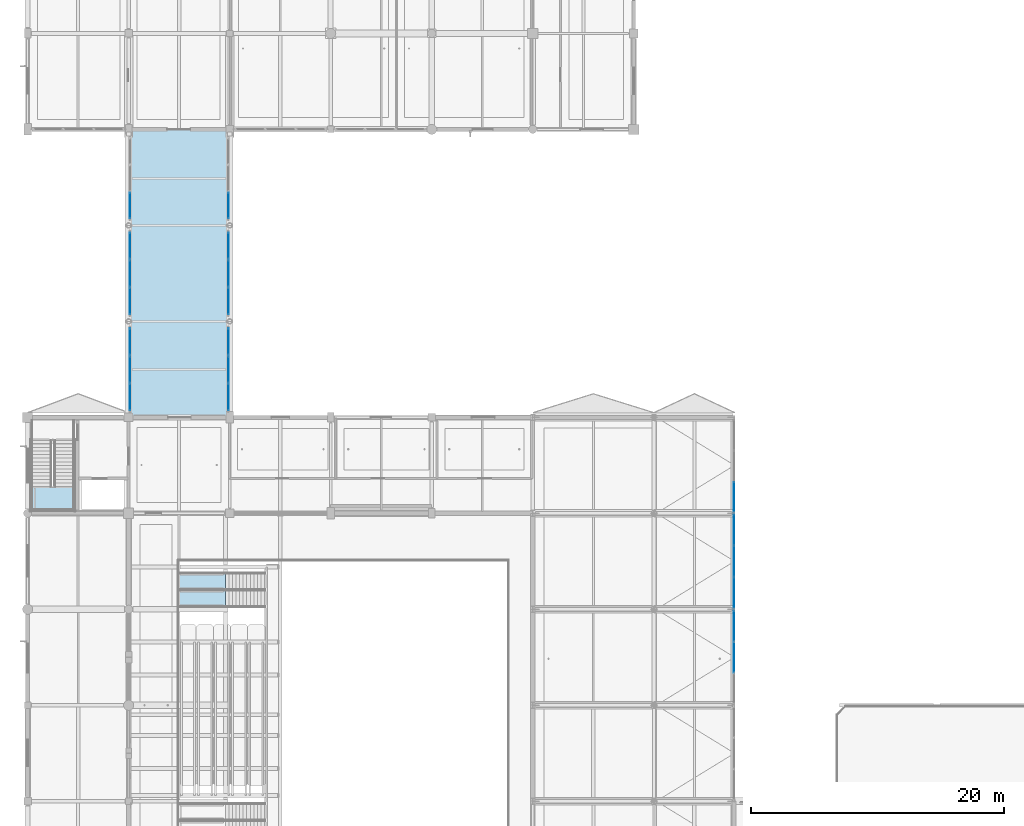
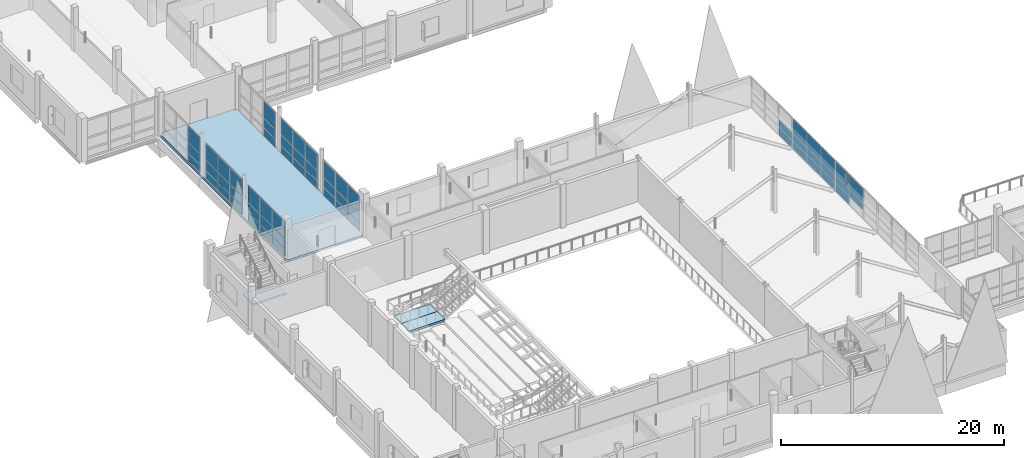
# One storey, part 69 of 147: 58 plates, 4 slabs, 12 elements without a shape of their own.
"""IFC4 building model written with IfcOpenShell, lengths in metres."""

from ifc_helpers import new_model, si_unit, direction, frame, origin, origin_2d, place, context, subcontext, project, spatial, polyline, rectangle, outline, extrude, material, layer, layer_set, type_object, element, aggregate, save


model = new_model("IFC4")

# Units and contexts
model_context = context("Model", 3, precision=1e-05, world=origin(), true_north=direction((0.0, 1.0)))
body_context = subcontext(model_context, "Body", "Model", "MODEL_VIEW")
ifc_project = project(units=[si_unit("LENGTHUNIT", "METRE"), si_unit("AREAUNIT", "SQUARE_METRE"), si_unit("VOLUMEUNIT", "CUBIC_METRE"), si_unit("PLANEANGLEUNIT", "RADIAN"), si_unit("MASSUNIT", "GRAM", prefix="KILO")], contexts=[model_context])

# Site, building, storey
site_placement = place(None, origin())
site = spatial("IfcSite", under=ifc_project, at=site_placement, CompositionType="ELEMENT")
building_placement = place(site_placement, origin())
building = spatial("IfcBuilding", under=site, at=building_placement, Name="Khelvaren Railside Concert Hall", CompositionType="ELEMENT")
storey_placement = place(building_placement, frame((0.0, 0.0, 5.39990234375)))
storey = spatial("IfcBuildingStorey", under=building, at=storey_placement, Name="L01", CompositionType="ELEMENT", Elevation=5.39990234375)

# Curtain wall, plates
ifc_material_1 = material(Name="Triple-glazed solar-control glass", Category="glass")
curtain_wall_type_1 = type_object("IfcCurtainWallType", Name="CW88", PredefinedType="USERDEFINED", material=ifc_material_1)
curtain_wall_1_placement = place(storey_placement, origin())
curtain_wall_1 = element("IfcCurtainWall", 1, at=curtain_wall_1_placement, inside=storey, type_object=curtain_wall_type_1, Name="Unitised Curtain Wall CW-V1-L01-E-23", ObjectType="UNITISED CURTAIN WALL", PredefinedType="USERDEFINED")
ifc_layer_1 = layer(ifc_material_1, 0.035888671875)
ifc_layer_set_1 = layer_set([ifc_layer_1], Name="Triple-glazed solar-control glass")
plate_type_1 = type_object("IfcPlateType", Name="CWP53", PredefinedType="CURTAIN_PANEL", material=ifc_layer_set_1)
plate_1_placement = place(storey_placement, frame((55.93994140625, 29.087890625, 0.0751953125), z_axis=(0.0, 0.0, 1.0), x_axis=(0.0, -1.0, 0.0)))
plate_1 = element("IfcPlate", 2, at=plate_1_placement, type_object=plate_type_1, Name="CW88 panel 1.1", PredefinedType="CURTAIN_PANEL", context=body_context, shape_type="SweptSolid", body=[
    extrude(rectangle(XDim=2.394287109375, YDim=0.035888671875, at=origin_2d()), origin(), (0.0, 0.0, 1.0), 0.83740234375),
])
plate_2_placement = place(storey_placement, frame((55.93994140625, 29.087890625, 0.98779296875), z_axis=(0.0, 0.0, 1.0), x_axis=(0.0, -1.0, 0.0)))
plate_2 = element("IfcPlate", 3, at=plate_2_placement, type_object=plate_type_1, Name="CW88 panel 1.2", PredefinedType="CURTAIN_PANEL", context=body_context, shape_type="SweptSolid", body=[
    extrude(rectangle(XDim=2.394287109375, YDim=0.035888671875, at=origin_2d()), origin(), (0.0, 0.0, 1.0), 0.742919921875),
])
plate_3_placement = place(storey_placement, frame((55.93994140625, 29.087890625, 1.8056640625), z_axis=(0.0, 0.0, 1.0), x_axis=(0.0, -1.0, 0.0)))
plate_3 = element("IfcPlate", 4, at=plate_3_placement, type_object=plate_type_1, Name="CW88 panel 1.3", PredefinedType="CURTAIN_PANEL", context=body_context, shape_type="SweptSolid", body=[
    extrude(rectangle(XDim=2.394287109375, YDim=0.035888671875, at=origin_2d()), origin(), (0.0, 0.0, 1.0), 1.51953125),
])
plate_4_placement = place(storey_placement, frame((55.93994140625, 26.60009765625, 0.98779296875), z_axis=(0.0, 0.0, 1.0), x_axis=(0.0, -1.0, 0.0)))
plate_4 = element("IfcPlate", 5, at=plate_4_placement, type_object=plate_type_1, Name="CW88 panel 2.2", PredefinedType="CURTAIN_PANEL", context=body_context, shape_type="SweptSolid", body=[
    extrude(rectangle(XDim=2.431640625, YDim=0.035888671875, at=origin_2d()), origin(), (0.0, 0.0, 1.0), 0.742919921875),
])
plate_5_placement = place(storey_placement, frame((55.93994140625, 26.60009765625, 1.8056640625), z_axis=(0.0, 0.0, 1.0), x_axis=(0.0, -1.0, 0.0)))
plate_5 = element("IfcPlate", 6, at=plate_5_placement, type_object=plate_type_1, Name="CW88 panel 2.3", PredefinedType="CURTAIN_PANEL", context=body_context, shape_type="SweptSolid", body=[
    extrude(rectangle(XDim=2.431640625, YDim=0.035888671875, at=origin_2d()), origin(), (0.0, 0.0, 1.0), 1.51953125),
])
aggregate(curtain_wall_1, [plate_1, plate_2, plate_3, plate_4, plate_5])

ifc_material_2 = material(Name="Acoustic laminated crystal facade glass", Category="glass")
curtain_wall_type_2 = type_object("IfcCurtainWallType", Name="CW78", PredefinedType="USERDEFINED", material=ifc_material_2)
curtain_wall_2_placement = place(storey_placement, origin())
curtain_wall_2 = element("IfcCurtainWall", 7, at=curtain_wall_2_placement, inside=storey, type_object=curtain_wall_type_2, Name="Unitised Curtain Wall CW-LB3-L01-W1", ObjectType="UNITISED CURTAIN WALL", PredefinedType="USERDEFINED")
ifc_layer_2 = layer(ifc_material_2, 0.0400390625)
ifc_layer_set_2 = layer_set([ifc_layer_2], Name="Acoustic laminated crystal facade glass")
plate_type_2 = type_object("IfcPlateType", Name="CWP77", PredefinedType="CURTAIN_PANEL", material=ifc_layer_set_2)
plate_6_placement = place(storey_placement, frame((8.10009765625, 47.2080078125, 0.0849609375), z_axis=(0.0, 0.0, 1.0), x_axis=(0.0, 1.0, 0.0)))
plate_6 = element("IfcPlate", 8, at=plate_6_placement, type_object=plate_type_2, Name="CW78 panel 1.1", PredefinedType="CURTAIN_PANEL", context=body_context, shape_type="SweptSolid", body=[
    extrude(rectangle(XDim=2.0859375, YDim=0.0400390625, at=origin_2d()), origin(), (0.0, 0.0, 1.0), 0.822509765625),
])
plate_7_placement = place(storey_placement, frame((8.10009765625, 47.2080078125, 0.99267578125), z_axis=(0.0, 0.0, 1.0), x_axis=(0.0, 1.0, 0.0)))
plate_7 = element("IfcPlate", 9, at=plate_7_placement, type_object=plate_type_2, Name="CW78 panel 1.2", PredefinedType="CURTAIN_PANEL", context=body_context, shape_type="SweptSolid", body=[
    extrude(rectangle(XDim=2.0859375, YDim=0.0400390625, at=origin_2d()), origin(), (0.0, 0.0, 1.0), 1.03466796875),
])
plate_8_placement = place(storey_placement, frame((8.10009765625, 47.2080078125, 2.1123046875), z_axis=(0.0, 0.0, 1.0), x_axis=(0.0, 1.0, 0.0)))
plate_8 = element("IfcPlate", 10, at=plate_8_placement, type_object=plate_type_2, Name="CW78 panel 1.3", PredefinedType="CURTAIN_PANEL", context=body_context, shape_type="SweptSolid", body=[
    extrude(rectangle(XDim=2.0859375, YDim=0.0400390625, at=origin_2d()), origin(), (0.0, 0.0, 1.0), 1.782958984375),
])
plate_9_placement = place(storey_placement, frame((8.10009765625, 49.39990234375, 0.0849609375), z_axis=(0.0, 0.0, 1.0), x_axis=(0.0, 1.0, 0.0)))
plate_9 = element("IfcPlate", 11, at=plate_9_placement, type_object=plate_type_2, Name="CW78 panel 2.1", PredefinedType="CURTAIN_PANEL", context=body_context, shape_type="SweptSolid", body=[
    extrude(rectangle(XDim=2.12841796875, YDim=0.0400390625, at=origin_2d()), origin(), (0.0, 0.0, 1.0), 0.822509765625),
])
plate_10_placement = place(storey_placement, frame((8.10009765625, 49.39990234375, 0.99267578125), z_axis=(0.0, 0.0, 1.0), x_axis=(0.0, 1.0, 0.0)))
plate_10 = element("IfcPlate", 12, at=plate_10_placement, type_object=plate_type_2, Name="CW78 panel 2.2", PredefinedType="CURTAIN_PANEL", context=body_context, shape_type="SweptSolid", body=[
    extrude(rectangle(XDim=2.12841796875, YDim=0.0400390625, at=origin_2d()), origin(), (0.0, 0.0, 1.0), 1.03466796875),
])
plate_11_placement = place(storey_placement, frame((8.10009765625, 49.39990234375, 2.1123046875), z_axis=(0.0, 0.0, 1.0), x_axis=(0.0, 1.0, 0.0)))
plate_11 = element("IfcPlate", 13, at=plate_11_placement, type_object=plate_type_2, Name="CW78 panel 2.3", PredefinedType="CURTAIN_PANEL", context=body_context, shape_type="SweptSolid", body=[
    extrude(rectangle(XDim=2.12841796875, YDim=0.0400390625, at=origin_2d()), origin(), (0.0, 0.0, 1.0), 1.782958984375),
])
plate_12_placement = place(storey_placement, frame((8.10009765625, 51.592041015625, 0.0849609375), z_axis=(0.0, 0.0, 1.0), x_axis=(0.0, 1.0, 0.0)))
plate_12 = element("IfcPlate", 14, at=plate_12_placement, type_object=plate_type_2, Name="CW78 panel 3.1", PredefinedType="CURTAIN_PANEL", context=body_context, shape_type="SweptSolid", body=[
    extrude(rectangle(XDim=2.0859375, YDim=0.0400390625, at=origin_2d()), origin(), (0.0, 0.0, 1.0), 0.822509765625),
])
plate_13_placement = place(storey_placement, frame((8.10009765625, 51.592041015625, 0.99267578125), z_axis=(0.0, 0.0, 1.0), x_axis=(0.0, 1.0, 0.0)))
plate_13 = element("IfcPlate", 15, at=plate_13_placement, type_object=plate_type_2, Name="CW78 panel 3.2", PredefinedType="CURTAIN_PANEL", context=body_context, shape_type="SweptSolid", body=[
    extrude(rectangle(XDim=2.0859375, YDim=0.0400390625, at=origin_2d()), origin(), (0.0, 0.0, 1.0), 1.03466796875),
])
plate_14_placement = place(storey_placement, frame((8.10009765625, 51.592041015625, 2.1123046875), z_axis=(0.0, 0.0, 1.0), x_axis=(0.0, 1.0, 0.0)))
plate_14 = element("IfcPlate", 16, at=plate_14_placement, type_object=plate_type_2, Name="CW78 panel 3.3", PredefinedType="CURTAIN_PANEL", context=body_context, shape_type="SweptSolid", body=[
    extrude(rectangle(XDim=2.0859375, YDim=0.0400390625, at=origin_2d()), origin(), (0.0, 0.0, 1.0), 1.782958984375),
])
aggregate(curtain_wall_2, [plate_6, plate_7, plate_8, plate_9, plate_10, plate_11, plate_12, plate_13, plate_14])

curtain_wall_3_placement = place(storey_placement, origin())
curtain_wall_3 = element("IfcCurtainWall", 17, at=curtain_wall_3_placement, inside=storey, type_object=curtain_wall_type_2, Name="Unitised Curtain Wall CW-LB3-L01-E1", ObjectType="UNITISED CURTAIN WALL", PredefinedType="USERDEFINED")
plate_15_placement = place(storey_placement, frame((15.89990234375, 51.592041015625, 0.0849609375), z_axis=(0.0, 0.0, 1.0), x_axis=(0.0, -1.0, 0.0)))
plate_15 = element("IfcPlate", 18, at=plate_15_placement, type_object=plate_type_2, Name="CW78 panel 1.1", PredefinedType="CURTAIN_PANEL", context=body_context, shape_type="SweptSolid", body=[
    extrude(rectangle(XDim=2.0859375, YDim=0.0400390625, at=origin_2d()), origin(), (0.0, 0.0, 1.0), 0.822509765625),
])
plate_16_placement = place(storey_placement, frame((15.89990234375, 51.592041015625, 0.99267578125), z_axis=(0.0, 0.0, 1.0), x_axis=(0.0, -1.0, 0.0)))
plate_16 = element("IfcPlate", 19, at=plate_16_placement, type_object=plate_type_2, Name="CW78 panel 1.2", PredefinedType="CURTAIN_PANEL", context=body_context, shape_type="SweptSolid", body=[
    extrude(rectangle(XDim=2.0859375, YDim=0.0400390625, at=origin_2d()), origin(), (0.0, 0.0, 1.0), 1.03466796875),
])
plate_17_placement = place(storey_placement, frame((15.89990234375, 51.592041015625, 2.1123046875), z_axis=(0.0, 0.0, 1.0), x_axis=(0.0, -1.0, 0.0)))
plate_17 = element("IfcPlate", 20, at=plate_17_placement, type_object=plate_type_2, Name="CW78 panel 1.3", PredefinedType="CURTAIN_PANEL", context=body_context, shape_type="SweptSolid", body=[
    extrude(rectangle(XDim=2.0859375, YDim=0.0400390625, at=origin_2d()), origin(), (0.0, 0.0, 1.0), 1.782958984375),
])
plate_18_placement = place(storey_placement, frame((15.89990234375, 49.39990234375, 0.0849609375), z_axis=(0.0, 0.0, 1.0), x_axis=(0.0, -1.0, 0.0)))
plate_18 = element("IfcPlate", 21, at=plate_18_placement, type_object=plate_type_2, Name="CW78 panel 2.1", PredefinedType="CURTAIN_PANEL", context=body_context, shape_type="SweptSolid", body=[
    extrude(rectangle(XDim=2.12841796875, YDim=0.0400390625, at=origin_2d()), origin(), (0.0, 0.0, 1.0), 0.822509765625),
])
plate_19_placement = place(storey_placement, frame((15.89990234375, 49.39990234375, 0.99267578125), z_axis=(0.0, 0.0, 1.0), x_axis=(0.0, -1.0, 0.0)))
plate_19 = element("IfcPlate", 22, at=plate_19_placement, type_object=plate_type_2, Name="CW78 panel 2.2", PredefinedType="CURTAIN_PANEL", context=body_context, shape_type="SweptSolid", body=[
    extrude(rectangle(XDim=2.12841796875, YDim=0.0400390625, at=origin_2d()), origin(), (0.0, 0.0, 1.0), 1.03466796875),
])
plate_20_placement = place(storey_placement, frame((15.89990234375, 49.39990234375, 2.1123046875), z_axis=(0.0, 0.0, 1.0), x_axis=(0.0, -1.0, 0.0)))
plate_20 = element("IfcPlate", 23, at=plate_20_placement, type_object=plate_type_2, Name="CW78 panel 2.3", PredefinedType="CURTAIN_PANEL", context=body_context, shape_type="SweptSolid", body=[
    extrude(rectangle(XDim=2.12841796875, YDim=0.0400390625, at=origin_2d()), origin(), (0.0, 0.0, 1.0), 1.782958984375),
])
plate_21_placement = place(storey_placement, frame((15.89990234375, 47.2080078125, 0.0849609375), z_axis=(0.0, 0.0, 1.0), x_axis=(0.0, -1.0, 0.0)))
plate_21 = element("IfcPlate", 24, at=plate_21_placement, type_object=plate_type_2, Name="CW78 panel 3.1", PredefinedType="CURTAIN_PANEL", context=body_context, shape_type="SweptSolid", body=[
    extrude(rectangle(XDim=2.0859375, YDim=0.0400390625, at=origin_2d()), origin(), (0.0, 0.0, 1.0), 0.822509765625),
])
plate_22_placement = place(storey_placement, frame((15.89990234375, 47.2080078125, 0.99267578125), z_axis=(0.0, 0.0, 1.0), x_axis=(0.0, -1.0, 0.0)))
plate_22 = element("IfcPlate", 25, at=plate_22_placement, type_object=plate_type_2, Name="CW78 panel 3.2", PredefinedType="CURTAIN_PANEL", context=body_context, shape_type="SweptSolid", body=[
    extrude(rectangle(XDim=2.0859375, YDim=0.0400390625, at=origin_2d()), origin(), (0.0, 0.0, 1.0), 1.03466796875),
])
plate_23_placement = place(storey_placement, frame((15.89990234375, 47.2080078125, 2.1123046875), z_axis=(0.0, 0.0, 1.0), x_axis=(0.0, -1.0, 0.0)))
plate_23 = element("IfcPlate", 26, at=plate_23_placement, type_object=plate_type_2, Name="CW78 panel 3.3", PredefinedType="CURTAIN_PANEL", context=body_context, shape_type="SweptSolid", body=[
    extrude(rectangle(XDim=2.0859375, YDim=0.0400390625, at=origin_2d()), origin(), (0.0, 0.0, 1.0), 1.782958984375),
])
aggregate(curtain_wall_3, [plate_15, plate_16, plate_17, plate_18, plate_19, plate_20, plate_21, plate_22, plate_23])

curtain_wall_4_placement = place(storey_placement, origin())
curtain_wall_4 = element("IfcCurtainWall", 27, at=curtain_wall_4_placement, inside=storey, type_object=curtain_wall_type_2, Name="Unitised Curtain Wall CW-LB3-L01-W2", ObjectType="UNITISED CURTAIN WALL", PredefinedType="USERDEFINED")
plate_24_placement = place(storey_placement, frame((8.10009765625, 54.807861328125, 0.0849609375), z_axis=(0.0, 0.0, 1.0), x_axis=(0.0, 1.0, 0.0)))
plate_24 = element("IfcPlate", 28, at=plate_24_placement, type_object=plate_type_2, Name="CW78 panel 1.1", PredefinedType="CURTAIN_PANEL", context=body_context, shape_type="SweptSolid", body=[
    extrude(rectangle(XDim=2.0859375, YDim=0.0400390625, at=origin_2d()), origin(), (0.0, 0.0, 1.0), 0.822509765625),
])
plate_25_placement = place(storey_placement, frame((8.10009765625, 54.807861328125, 0.99267578125), z_axis=(0.0, 0.0, 1.0), x_axis=(0.0, 1.0, 0.0)))
plate_25 = element("IfcPlate", 29, at=plate_25_placement, type_object=plate_type_2, Name="CW78 panel 1.2", PredefinedType="CURTAIN_PANEL", context=body_context, shape_type="SweptSolid", body=[
    extrude(rectangle(XDim=2.0859375, YDim=0.0400390625, at=origin_2d()), origin(), (0.0, 0.0, 1.0), 1.03466796875),
])
plate_26_placement = place(storey_placement, frame((8.10009765625, 54.807861328125, 2.1123046875), z_axis=(0.0, 0.0, 1.0), x_axis=(0.0, 1.0, 0.0)))
plate_26 = element("IfcPlate", 30, at=plate_26_placement, type_object=plate_type_2, Name="CW78 panel 1.3", PredefinedType="CURTAIN_PANEL", context=body_context, shape_type="SweptSolid", body=[
    extrude(rectangle(XDim=2.0859375, YDim=0.0400390625, at=origin_2d()), origin(), (0.0, 0.0, 1.0), 1.782958984375),
])
plate_27_placement = place(storey_placement, frame((8.10009765625, 57.0, 0.0849609375), z_axis=(0.0, 0.0, 1.0), x_axis=(0.0, 1.0, 0.0)))
plate_27 = element("IfcPlate", 31, at=plate_27_placement, type_object=plate_type_2, Name="CW78 panel 2.1", PredefinedType="CURTAIN_PANEL", context=body_context, shape_type="SweptSolid", body=[
    extrude(rectangle(XDim=2.12841796875, YDim=0.0400390625, at=origin_2d()), origin(), (0.0, 0.0, 1.0), 0.822509765625),
])
plate_28_placement = place(storey_placement, frame((8.10009765625, 57.0, 0.99267578125), z_axis=(0.0, 0.0, 1.0), x_axis=(0.0, 1.0, 0.0)))
plate_28 = element("IfcPlate", 32, at=plate_28_placement, type_object=plate_type_2, Name="CW78 panel 2.2", PredefinedType="CURTAIN_PANEL", context=body_context, shape_type="SweptSolid", body=[
    extrude(rectangle(XDim=2.12841796875, YDim=0.0400390625, at=origin_2d()), origin(), (0.0, 0.0, 1.0), 1.03466796875),
])
plate_29_placement = place(storey_placement, frame((8.10009765625, 57.0, 2.1123046875), z_axis=(0.0, 0.0, 1.0), x_axis=(0.0, 1.0, 0.0)))
plate_29 = element("IfcPlate", 33, at=plate_29_placement, type_object=plate_type_2, Name="CW78 panel 2.3", PredefinedType="CURTAIN_PANEL", context=body_context, shape_type="SweptSolid", body=[
    extrude(rectangle(XDim=2.12841796875, YDim=0.0400390625, at=origin_2d()), origin(), (0.0, 0.0, 1.0), 1.782958984375),
])
plate_30_placement = place(storey_placement, frame((8.10009765625, 59.192138671875, 0.0849609375), z_axis=(0.0, 0.0, 1.0), x_axis=(0.0, 1.0, 0.0)))
plate_30 = element("IfcPlate", 34, at=plate_30_placement, type_object=plate_type_2, Name="CW78 panel 3.1", PredefinedType="CURTAIN_PANEL", context=body_context, shape_type="SweptSolid", body=[
    extrude(rectangle(XDim=2.0859375, YDim=0.0400390625, at=origin_2d()), origin(), (0.0, 0.0, 1.0), 0.822509765625),
])
plate_31_placement = place(storey_placement, frame((8.10009765625, 59.192138671875, 0.99267578125), z_axis=(0.0, 0.0, 1.0), x_axis=(0.0, 1.0, 0.0)))
plate_31 = element("IfcPlate", 35, at=plate_31_placement, type_object=plate_type_2, Name="CW78 panel 3.2", PredefinedType="CURTAIN_PANEL", context=body_context, shape_type="SweptSolid", body=[
    extrude(rectangle(XDim=2.0859375, YDim=0.0400390625, at=origin_2d()), origin(), (0.0, 0.0, 1.0), 1.03466796875),
])
plate_32_placement = place(storey_placement, frame((8.10009765625, 59.192138671875, 2.1123046875), z_axis=(0.0, 0.0, 1.0), x_axis=(0.0, 1.0, 0.0)))
plate_32 = element("IfcPlate", 36, at=plate_32_placement, type_object=plate_type_2, Name="CW78 panel 3.3", PredefinedType="CURTAIN_PANEL", context=body_context, shape_type="SweptSolid", body=[
    extrude(rectangle(XDim=2.0859375, YDim=0.0400390625, at=origin_2d()), origin(), (0.0, 0.0, 1.0), 1.782958984375),
])
aggregate(curtain_wall_4, [plate_24, plate_25, plate_26, plate_27, plate_28, plate_29, plate_30, plate_31, plate_32])

curtain_wall_5_placement = place(storey_placement, origin())
curtain_wall_5 = element("IfcCurtainWall", 37, at=curtain_wall_5_placement, inside=storey, type_object=curtain_wall_type_2, Name="Unitised Curtain Wall CW-LB3-L01-E2", ObjectType="UNITISED CURTAIN WALL", PredefinedType="USERDEFINED")
plate_33_placement = place(storey_placement, frame((15.89990234375, 59.192138671875, 0.0849609375), z_axis=(0.0, 0.0, 1.0), x_axis=(0.0, -1.0, 0.0)))
plate_33 = element("IfcPlate", 38, at=plate_33_placement, type_object=plate_type_2, Name="CW78 panel 1.1", PredefinedType="CURTAIN_PANEL", context=body_context, shape_type="SweptSolid", body=[
    extrude(rectangle(XDim=2.0859375, YDim=0.0400390625, at=origin_2d()), origin(), (0.0, 0.0, 1.0), 0.822509765625),
])
plate_34_placement = place(storey_placement, frame((15.89990234375, 59.192138671875, 0.99267578125), z_axis=(0.0, 0.0, 1.0), x_axis=(0.0, -1.0, 0.0)))
plate_34 = element("IfcPlate", 39, at=plate_34_placement, type_object=plate_type_2, Name="CW78 panel 1.2", PredefinedType="CURTAIN_PANEL", context=body_context, shape_type="SweptSolid", body=[
    extrude(rectangle(XDim=2.0859375, YDim=0.0400390625, at=origin_2d()), origin(), (0.0, 0.0, 1.0), 1.03466796875),
])
plate_35_placement = place(storey_placement, frame((15.89990234375, 59.192138671875, 2.1123046875), z_axis=(0.0, 0.0, 1.0), x_axis=(0.0, -1.0, 0.0)))
plate_35 = element("IfcPlate", 40, at=plate_35_placement, type_object=plate_type_2, Name="CW78 panel 1.3", PredefinedType="CURTAIN_PANEL", context=body_context, shape_type="SweptSolid", body=[
    extrude(rectangle(XDim=2.0859375, YDim=0.0400390625, at=origin_2d()), origin(), (0.0, 0.0, 1.0), 1.782958984375),
])
plate_36_placement = place(storey_placement, frame((15.89990234375, 57.0, 0.0849609375), z_axis=(0.0, 0.0, 1.0), x_axis=(0.0, -1.0, 0.0)))
plate_36 = element("IfcPlate", 41, at=plate_36_placement, type_object=plate_type_2, Name="CW78 panel 2.1", PredefinedType="CURTAIN_PANEL", context=body_context, shape_type="SweptSolid", body=[
    extrude(rectangle(XDim=2.12841796875, YDim=0.0400390625, at=origin_2d()), origin(), (0.0, 0.0, 1.0), 0.822509765625),
])
plate_37_placement = place(storey_placement, frame((15.89990234375, 57.0, 0.99267578125), z_axis=(0.0, 0.0, 1.0), x_axis=(0.0, -1.0, 0.0)))
plate_37 = element("IfcPlate", 42, at=plate_37_placement, type_object=plate_type_2, Name="CW78 panel 2.2", PredefinedType="CURTAIN_PANEL", context=body_context, shape_type="SweptSolid", body=[
    extrude(rectangle(XDim=2.12841796875, YDim=0.0400390625, at=origin_2d()), origin(), (0.0, 0.0, 1.0), 1.03466796875),
])
plate_38_placement = place(storey_placement, frame((15.89990234375, 57.0, 2.1123046875), z_axis=(0.0, 0.0, 1.0), x_axis=(0.0, -1.0, 0.0)))
plate_38 = element("IfcPlate", 43, at=plate_38_placement, type_object=plate_type_2, Name="CW78 panel 2.3", PredefinedType="CURTAIN_PANEL", context=body_context, shape_type="SweptSolid", body=[
    extrude(rectangle(XDim=2.12841796875, YDim=0.0400390625, at=origin_2d()), origin(), (0.0, 0.0, 1.0), 1.782958984375),
])
plate_39_placement = place(storey_placement, frame((15.89990234375, 54.807861328125, 0.0849609375), z_axis=(0.0, 0.0, 1.0), x_axis=(0.0, -1.0, 0.0)))
plate_39 = element("IfcPlate", 44, at=plate_39_placement, type_object=plate_type_2, Name="CW78 panel 3.1", PredefinedType="CURTAIN_PANEL", context=body_context, shape_type="SweptSolid", body=[
    extrude(rectangle(XDim=2.0859375, YDim=0.0400390625, at=origin_2d()), origin(), (0.0, 0.0, 1.0), 0.822509765625),
])
plate_40_placement = place(storey_placement, frame((15.89990234375, 54.807861328125, 0.99267578125), z_axis=(0.0, 0.0, 1.0), x_axis=(0.0, -1.0, 0.0)))
plate_40 = element("IfcPlate", 45, at=plate_40_placement, type_object=plate_type_2, Name="CW78 panel 3.2", PredefinedType="CURTAIN_PANEL", context=body_context, shape_type="SweptSolid", body=[
    extrude(rectangle(XDim=2.0859375, YDim=0.0400390625, at=origin_2d()), origin(), (0.0, 0.0, 1.0), 1.03466796875),
])
plate_41_placement = place(storey_placement, frame((15.89990234375, 54.807861328125, 2.1123046875), z_axis=(0.0, 0.0, 1.0), x_axis=(0.0, -1.0, 0.0)))
plate_41 = element("IfcPlate", 46, at=plate_41_placement, type_object=plate_type_2, Name="CW78 panel 3.3", PredefinedType="CURTAIN_PANEL", context=body_context, shape_type="SweptSolid", body=[
    extrude(rectangle(XDim=2.0859375, YDim=0.0400390625, at=origin_2d()), origin(), (0.0, 0.0, 1.0), 1.782958984375),
])
aggregate(curtain_wall_5, [plate_33, plate_34, plate_35, plate_36, plate_37, plate_38, plate_39, plate_40, plate_41])

curtain_wall_6_placement = place(storey_placement, origin())
curtain_wall_6 = element("IfcCurtainWall", 47, at=curtain_wall_6_placement, inside=storey, type_object=curtain_wall_type_2, Name="Unitised Curtain Wall CW-LB3-L01-W3", ObjectType="UNITISED CURTAIN WALL", PredefinedType="USERDEFINED")
plate_42_placement = place(storey_placement, frame((8.10009765625, 62.3828125, 0.0849609375), z_axis=(0.0, 0.0, 1.0), x_axis=(0.0, 1.0, 0.0)))
plate_42 = element("IfcPlate", 48, at=plate_42_placement, type_object=plate_type_2, Name="CW78 panel 1.1", PredefinedType="CURTAIN_PANEL", context=body_context, shape_type="SweptSolid", body=[
    extrude(rectangle(XDim=2.035888671875, YDim=0.0400390625, at=origin_2d()), origin(), (0.0, 0.0, 1.0), 0.822509765625),
])
plate_43_placement = place(storey_placement, frame((8.10009765625, 62.3828125, 0.99267578125), z_axis=(0.0, 0.0, 1.0), x_axis=(0.0, 1.0, 0.0)))
plate_43 = element("IfcPlate", 49, at=plate_43_placement, type_object=plate_type_2, Name="CW78 panel 1.2", PredefinedType="CURTAIN_PANEL", context=body_context, shape_type="SweptSolid", body=[
    extrude(rectangle(XDim=2.035888671875, YDim=0.0400390625, at=origin_2d()), origin(), (0.0, 0.0, 1.0), 1.03466796875),
])
plate_44_placement = place(storey_placement, frame((8.10009765625, 62.3828125, 2.1123046875), z_axis=(0.0, 0.0, 1.0), x_axis=(0.0, 1.0, 0.0)))
plate_44 = element("IfcPlate", 50, at=plate_44_placement, type_object=plate_type_2, Name="CW78 panel 1.3", PredefinedType="CURTAIN_PANEL", context=body_context, shape_type="SweptSolid", body=[
    extrude(rectangle(XDim=2.035888671875, YDim=0.0400390625, at=origin_2d()), origin(), (0.0, 0.0, 1.0), 1.782958984375),
])
aggregate(curtain_wall_6, [plate_42, plate_43, plate_44])

curtain_wall_7_placement = place(storey_placement, origin())
curtain_wall_7 = element("IfcCurtainWall", 51, at=curtain_wall_7_placement, inside=storey, type_object=curtain_wall_type_2, Name="Unitised Curtain Wall CW-LB3-L01-E3", ObjectType="UNITISED CURTAIN WALL", PredefinedType="USERDEFINED")
plate_45_placement = place(storey_placement, frame((15.89990234375, 62.3828125, 0.0849609375), z_axis=(0.0, 0.0, 1.0), x_axis=(0.0, -1.0, 0.0)))
plate_45 = element("IfcPlate", 52, at=plate_45_placement, type_object=plate_type_2, Name="CW78 panel 3.1", PredefinedType="CURTAIN_PANEL", context=body_context, shape_type="SweptSolid", body=[
    extrude(rectangle(XDim=2.035888671875, YDim=0.0400390625, at=origin_2d()), origin(), (0.0, 0.0, 1.0), 0.822509765625),
])
plate_46_placement = place(storey_placement, frame((15.89990234375, 62.3828125, 0.99267578125), z_axis=(0.0, 0.0, 1.0), x_axis=(0.0, -1.0, 0.0)))
plate_46 = element("IfcPlate", 53, at=plate_46_placement, type_object=plate_type_2, Name="CW78 panel 3.2", PredefinedType="CURTAIN_PANEL", context=body_context, shape_type="SweptSolid", body=[
    extrude(rectangle(XDim=2.035888671875, YDim=0.0400390625, at=origin_2d()), origin(), (0.0, 0.0, 1.0), 1.03466796875),
])
plate_47_placement = place(storey_placement, frame((15.89990234375, 62.3828125, 2.1123046875), z_axis=(0.0, 0.0, 1.0), x_axis=(0.0, -1.0, 0.0)))
plate_47 = element("IfcPlate", 54, at=plate_47_placement, type_object=plate_type_2, Name="CW78 panel 3.3", PredefinedType="CURTAIN_PANEL", context=body_context, shape_type="SweptSolid", body=[
    extrude(rectangle(XDim=2.035888671875, YDim=0.0400390625, at=origin_2d()), origin(), (0.0, 0.0, 1.0), 1.782958984375),
])
aggregate(curtain_wall_7, [plate_45, plate_46, plate_47])

ifc_material_3 = material(Name="Double-glazed low-E dark acoustic glass", Category="glass")
curtain_wall_type_3 = type_object("IfcCurtainWallType", Name="CW65", PredefinedType="USERDEFINED", material=ifc_material_3)
curtain_wall_8_placement = place(storey_placement, origin())
curtain_wall_8 = element("IfcCurtainWall", 55, at=curtain_wall_8_placement, inside=storey, type_object=curtain_wall_type_3, Name="Unitised Curtain Wall CW-V1-L01-E-30", ObjectType="UNITISED CURTAIN WALL", PredefinedType="USERDEFINED")
ifc_layer_3 = layer(ifc_material_3, 0.031982421875)
ifc_layer_set_3 = layer_set([ifc_layer_3], Name="Double-glazed low-E dark acoustic glass")
plate_type_3 = type_object("IfcPlateType", Name="CWP84", PredefinedType="CURTAIN_PANEL", material=ifc_layer_set_3)
plate_48_placement = place(storey_placement, frame((55.93994140625, 36.6904296875, 0.065185546875), z_axis=(0.0, 0.0, 1.0), x_axis=(0.0, -1.0, 0.0)))
plate_48 = element("IfcPlate", 56, at=plate_48_placement, type_object=plate_type_3, Name="CW65 panel 1.1", PredefinedType="CURTAIN_PANEL", context=body_context, shape_type="SweptSolid", body=[
    extrude(rectangle(XDim=2.4091796875, YDim=0.031982421875, at=origin_2d()), origin(), (0.0, 0.0, 1.0), 0.8525390625),
])
plate_49_placement = place(storey_placement, frame((55.93994140625, 36.6904296875, 0.982666015625), z_axis=(0.0, 0.0, 1.0), x_axis=(0.0, -1.0, 0.0)))
plate_49 = element("IfcPlate", 57, at=plate_49_placement, type_object=plate_type_3, Name="CW65 panel 1.2", PredefinedType="CURTAIN_PANEL", context=body_context, shape_type="SweptSolid", body=[
    extrude(rectangle(XDim=2.4091796875, YDim=0.031982421875, at=origin_2d()), origin(), (0.0, 0.0, 1.0), 0.7529296875),
])
plate_50_placement = place(storey_placement, frame((55.93994140625, 36.6904296875, 1.80078125), z_axis=(0.0, 0.0, 1.0), x_axis=(0.0, -1.0, 0.0)))
plate_50 = element("IfcPlate", 58, at=plate_50_placement, type_object=plate_type_3, Name="CW65 panel 1.3", PredefinedType="CURTAIN_PANEL", context=body_context, shape_type="SweptSolid", body=[
    extrude(rectangle(XDim=2.4091796875, YDim=0.031982421875, at=origin_2d()), origin(), (0.0, 0.0, 1.0), 1.534423828125),
])
plate_51_placement = place(storey_placement, frame((55.93994140625, 34.199951171875, 0.065185546875), z_axis=(0.0, 0.0, 1.0), x_axis=(0.0, -1.0, 0.0)))
plate_51 = element("IfcPlate", 59, at=plate_51_placement, type_object=plate_type_3, Name="CW65 panel 2.1", PredefinedType="CURTAIN_PANEL", context=body_context, shape_type="SweptSolid", body=[
    extrude(rectangle(XDim=2.441650390625, YDim=0.031982421875, at=origin_2d()), origin(), (0.0, 0.0, 1.0), 0.8525390625),
])
plate_52_placement = place(storey_placement, frame((55.93994140625, 34.199951171875, 0.982666015625), z_axis=(0.0, 0.0, 1.0), x_axis=(0.0, -1.0, 0.0)))
plate_52 = element("IfcPlate", 60, at=plate_52_placement, type_object=plate_type_3, Name="CW65 panel 2.2", PredefinedType="CURTAIN_PANEL", context=body_context, shape_type="SweptSolid", body=[
    extrude(rectangle(XDim=2.441650390625, YDim=0.031982421875, at=origin_2d()), origin(), (0.0, 0.0, 1.0), 0.7529296875),
])
plate_53_placement = place(storey_placement, frame((55.93994140625, 34.199951171875, 1.80078125), z_axis=(0.0, 0.0, 1.0), x_axis=(0.0, -1.0, 0.0)))
plate_53 = element("IfcPlate", 61, at=plate_53_placement, type_object=plate_type_3, Name="CW65 panel 2.3", PredefinedType="CURTAIN_PANEL", context=body_context, shape_type="SweptSolid", body=[
    extrude(rectangle(XDim=2.441650390625, YDim=0.031982421875, at=origin_2d()), origin(), (0.0, 0.0, 1.0), 1.534423828125),
])
plate_54_placement = place(storey_placement, frame((55.93994140625, 31.70947265625, 0.065185546875), z_axis=(0.0, 0.0, 1.0), x_axis=(0.0, -1.0, 0.0)))
plate_54 = element("IfcPlate", 62, at=plate_54_placement, type_object=plate_type_3, Name="CW65 panel 3.1", PredefinedType="CURTAIN_PANEL", context=body_context, shape_type="SweptSolid", body=[
    extrude(rectangle(XDim=2.4091796875, YDim=0.031982421875, at=origin_2d()), origin(), (0.0, 0.0, 1.0), 0.8525390625),
])
plate_55_placement = place(storey_placement, frame((55.93994140625, 31.70947265625, 0.982666015625), z_axis=(0.0, 0.0, 1.0), x_axis=(0.0, -1.0, 0.0)))
plate_55 = element("IfcPlate", 63, at=plate_55_placement, type_object=plate_type_3, Name="CW65 panel 3.2", PredefinedType="CURTAIN_PANEL", context=body_context, shape_type="SweptSolid", body=[
    extrude(rectangle(XDim=2.4091796875, YDim=0.031982421875, at=origin_2d()), origin(), (0.0, 0.0, 1.0), 0.7529296875),
])
plate_56_placement = place(storey_placement, frame((55.93994140625, 31.70947265625, 1.80078125), z_axis=(0.0, 0.0, 1.0), x_axis=(0.0, -1.0, 0.0)))
plate_56 = element("IfcPlate", 64, at=plate_56_placement, type_object=plate_type_3, Name="CW65 panel 3.3", PredefinedType="CURTAIN_PANEL", context=body_context, shape_type="SweptSolid", body=[
    extrude(rectangle(XDim=2.4091796875, YDim=0.031982421875, at=origin_2d()), origin(), (0.0, 0.0, 1.0), 1.534423828125),
])
aggregate(curtain_wall_8, [plate_48, plate_49, plate_50, plate_51, plate_52, plate_53, plate_54, plate_55, plate_56])

curtain_wall_type_4 = type_object("IfcCurtainWallType", Name="CW69", PredefinedType="USERDEFINED", material=ifc_material_3)
curtain_wall_9_placement = place(storey_placement, origin())
curtain_wall_9 = element("IfcCurtainWall", 65, at=curtain_wall_9_placement, inside=storey, type_object=curtain_wall_type_4, Name="Unitised Curtain Wall CW-V1-L01-E-38", ObjectType="UNITISED CURTAIN WALL", PredefinedType="USERDEFINED")
plate_57_placement = place(storey_placement, frame((55.93994140625, 39.28955078125, 0.065185546875), z_axis=(0.0, 0.0, 1.0), x_axis=(0.0, -1.0, 0.0)))
plate_57 = element("IfcPlate", 66, at=plate_57_placement, type_object=plate_type_3, Name="CW69 panel 3.1", PredefinedType="CURTAIN_PANEL", context=body_context, shape_type="SweptSolid", body=[
    extrude(rectangle(XDim=2.369140625, YDim=0.031982421875, at=origin_2d()), origin(), (0.0, 0.0, 1.0), 0.8525390625),
])
plate_58_placement = place(storey_placement, frame((55.93994140625, 39.28955078125, 0.982666015625), z_axis=(0.0, 0.0, 1.0), x_axis=(0.0, -1.0, 0.0)))
plate_58 = element("IfcPlate", 67, at=plate_58_placement, type_object=plate_type_3, Name="CW69 panel 3.2", PredefinedType="CURTAIN_PANEL", context=body_context, shape_type="SweptSolid", body=[
    extrude(rectangle(XDim=2.369140625, YDim=0.031982421875, at=origin_2d()), origin(), (0.0, 0.0, 1.0), 0.7529296875),
])
aggregate(curtain_wall_9, [plate_57, plate_58])

# Slab
ifc_material_4 = material(Name="Concrete C40/50", Category="concrete")
ifc_layer_4 = layer(ifc_material_4, 0.239990234375)
ifc_layer_set_4 = layer_set([ifc_layer_4], Name="Concrete C40/50")
slab_type_1 = type_object("IfcSlabType", Name="FS36", PredefinedType="FLOOR", material=ifc_layer_set_4)
slab_1_placement = place(storey_placement, frame((0.0, 0.0, -0.239990234375)))
element("IfcSlab", 68, at=slab_1_placement, inside=storey, type_object=slab_type_1, Name="West Court Chamber Link Bridge L01 Deck Slab", PredefinedType="FLOOR", context=body_context, shape_type="SweptSolid", body=[
    extrude(outline(polyline([(8.25, 45.60009765625), (15.75, 45.60009765625), (16.0, 45.85009765625), (16.0, 68.199951171875), (15.75, 68.449951171875), (8.25, 68.449951171875), (8.0, 68.199951171875), (8.0, 45.85009765625), (8.25, 45.60009765625)])), origin(), (0.0, 0.0, 1.0), 0.239990234375),
])

# Stair, slab
stair_type_1 = type_object("IfcStairType", Name="ST52", PredefinedType="HALF_TURN_STAIR", material=ifc_material_4)
stair_1_placement = place(storey_placement, origin())
stair_1 = element("IfcStair", 69, at=stair_1_placement, inside=storey, type_object=stair_type_1, Name="L01 Core Exit Stair ST-11", PredefinedType="HALF_TURN_STAIR")
ifc_layer_5 = layer(ifc_material_4, 0.199951171875)
ifc_layer_set_5 = layer_set([ifc_layer_5], Name="Concrete C40/50")
slab_type_2 = type_object("IfcSlabType", Name="LND67", PredefinedType="LANDING", material=ifc_layer_set_5)
slab_2_placement = place(storey_placement, frame((0.0, 0.0, 2.2001953125)))
slab_2 = element("IfcSlab", 70, at=slab_2_placement, type_object=slab_type_2, Name="ST-11 landing 1", PredefinedType="LANDING", context=body_context, shape_type="SweptSolid", body=[
    extrude(outline(polyline([(0.300048828125, 40.1201171875), (0.300048828125, 38.239990234375), (3.699951171875, 38.239990234375), (3.699951171875, 40.1201171875), (0.300048828125, 40.1201171875)])), origin(), (0.0, 0.0, 1.0), 0.199951171875),
])
aggregate(stair_1, [slab_2])

ifc_material_5 = material(Name="Precast architectural concrete C40/50", Category="concrete")
stair_type_2 = type_object("IfcStairType", Name="VST15", PredefinedType="STRAIGHT_RUN_STAIR", material=ifc_material_5)
stair_2_placement = place(storey_placement, origin())
stair_2 = element("IfcStair", 71, at=stair_2_placement, inside=storey, type_object=stair_type_2, Name="Auditorium Vomitory Stair ST-19", PredefinedType="STRAIGHT_RUN_STAIR")
slab_3_placement = place(storey_placement, frame((0.0, 0.0, -0.199951171875)))
slab_3 = element("IfcSlab", 72, at=slab_3_placement, type_object=slab_type_2, Name="ST-19 landing 1", PredefinedType="LANDING", context=body_context, shape_type="SweptSolid", body=[
    extrude(outline(polyline([(12.0, 30.550048828125), (15.669921875, 30.550048828125), (15.669921875, 31.949951171875), (12.0, 31.949951171875), (12.0, 30.550048828125)])), origin(), (0.0, 0.0, 1.0), 0.199951171875),
])
aggregate(stair_2, [slab_3])

stair_3_placement = place(storey_placement, origin())
stair_3 = element("IfcStair", 73, at=stair_3_placement, inside=storey, type_object=stair_type_2, Name="Auditorium Vomitory Stair ST-20", PredefinedType="STRAIGHT_RUN_STAIR")
slab_4_placement = place(storey_placement, frame((0.0, 0.0, -0.199951171875)))
slab_4 = element("IfcSlab", 74, at=slab_4_placement, type_object=slab_type_2, Name="ST-20 landing 1", PredefinedType="LANDING", context=body_context, shape_type="SweptSolid", body=[
    extrude(outline(polyline([(12.0, 31.89990234375), (15.669921875, 31.89990234375), (15.669921875, 33.300048828125), (12.0, 33.300048828125), (12.0, 31.89990234375)])), origin(), (0.0, 0.0, 1.0), 0.199951171875),
])
aggregate(stair_3, [slab_4])

save(model, "model.ifc")
